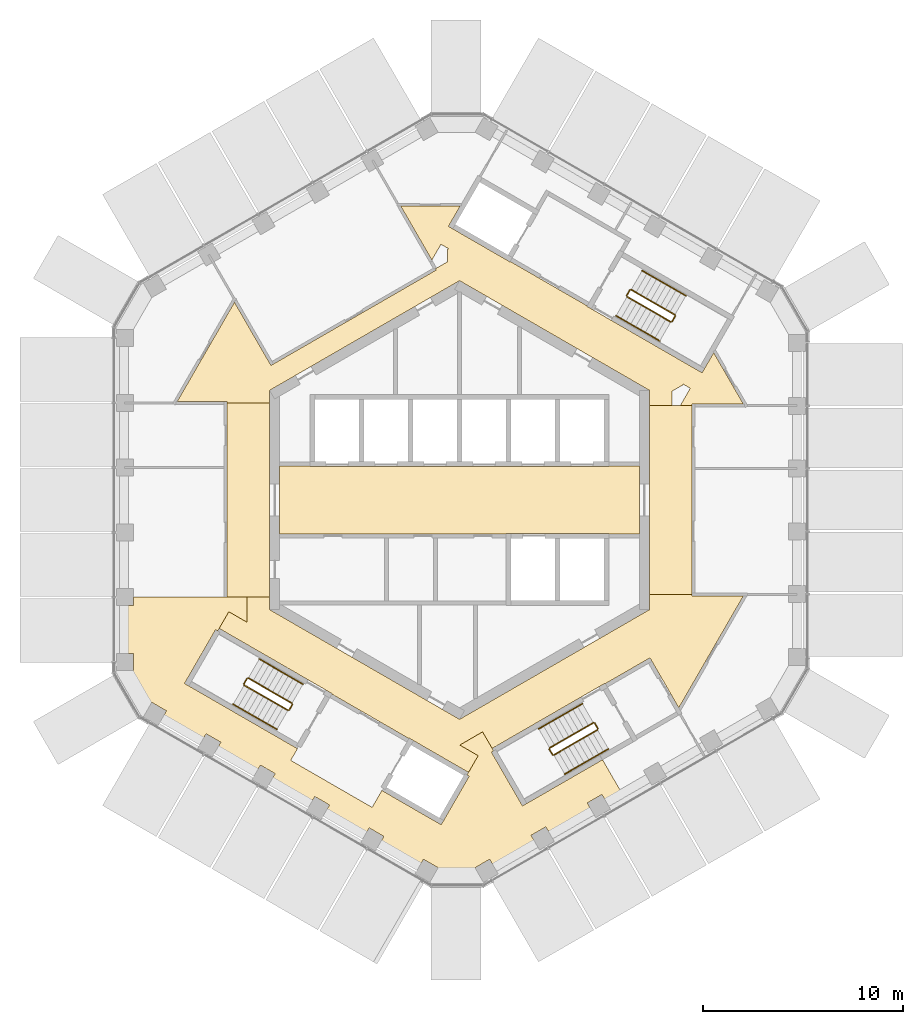
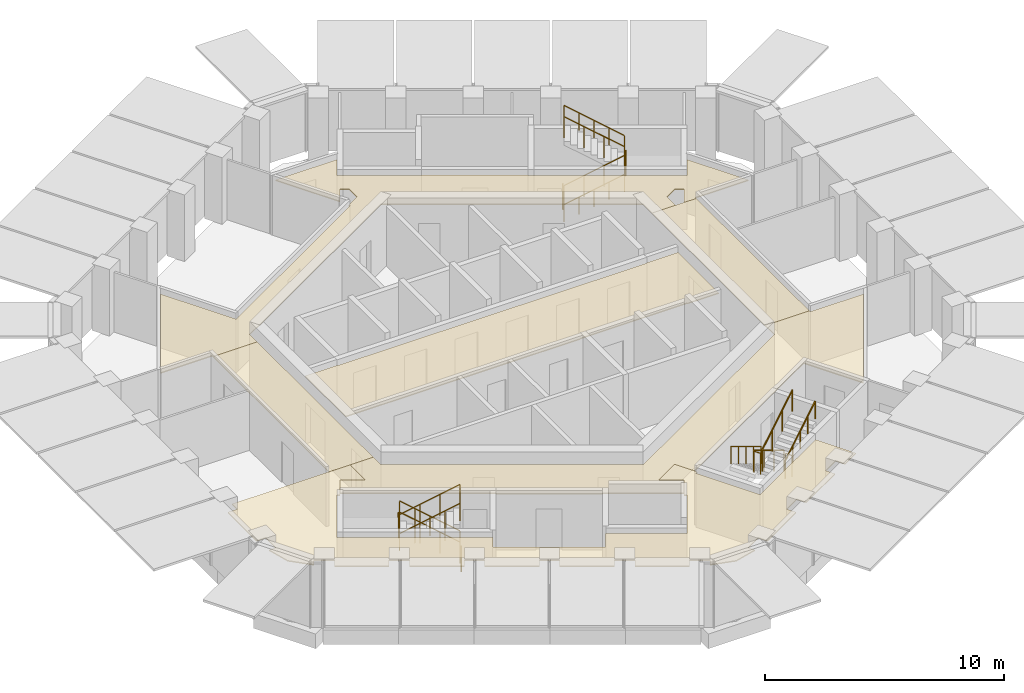
# One storey, part 17 of 17: 24 railings, 6 coverings.
"""IFC4 building model written with IfcOpenShell, lengths in metres."""

from ifc_helpers import new_model, si_unit, direction, frame, origin, origin_2d, place, context, subcontext, project, spatial, polyline, circle, outline, extrude, material, layer, layer_set, type_object, element, save


model = new_model("IFC4")

# Units and contexts
model_context = context("Model", 3, precision=1e-05, world=origin(), true_north=direction((0.0, 1.0)))
body_context = subcontext(model_context, "Body", "Model", "MODEL_VIEW")
ifc_project = project(units=[si_unit("LENGTHUNIT", "METRE"), si_unit("AREAUNIT", "SQUARE_METRE"), si_unit("VOLUMEUNIT", "CUBIC_METRE"), si_unit("PLANEANGLEUNIT", "RADIAN"), si_unit("MASSUNIT", "GRAM", prefix="KILO")], contexts=[model_context])

# Site, building, storey
site_placement = place(None, origin())
site = spatial("IfcSite", under=ifc_project, at=site_placement, CompositionType="ELEMENT")
building_placement = place(site_placement, origin())
building = spatial("IfcBuilding", under=site, at=building_placement, Name="Ayvan Gate Tower", CompositionType="ELEMENT")
storey_placement = place(building_placement, frame((0.0, 0.0, 225.699951171875)))
storey = spatial("IfcBuildingStorey", under=building, at=storey_placement, Name="L60", CompositionType="ELEMENT", Elevation=225.699951171875)

# Coverings
ifc_material_1 = material(Name="Plasterboard suspended ceiling")
ifc_layer = layer(ifc_material_1, 0.050048828125)
ifc_layer_set = layer_set([ifc_layer], Name="Plasterboard suspended ceiling")
covering_type = type_object("IfcCoveringType", Name="CT-SUSP-50", PredefinedType="CEILING", material=ifc_layer_set)
covering_1_placement = place(storey_placement, frame((0.0, 0.0, 2.699951171875)))
element("IfcCovering", 1, at=covering_1_placement, inside=storey, type_object=covering_type, Name="Ceiling Lift Lobby L60", PredefinedType="CEILING", context=body_context, shape_type="SweptSolid", body=[
    extrude(outline(polyline([(7.47509765625, -1.675048828125), (2.324951171875, -1.675048828125), (2.324951171875, -1.699951171875), (-9.0, -1.699951171875), (-9.0, 1.699951171875), (-7.47509765625, 1.699951171875), (-7.47509765625, 1.675048828125), (7.47509765625, 1.675048828125), (7.47509765625, 1.699951171875), (9.0, 1.699951171875), (9.0, -1.699951171875), (7.47509765625, -1.699951171875), (7.47509765625, -1.675048828125)])), origin(), (0.0, 0.0, 1.0), 0.050048828125),
])
covering_2_placement = place(storey_placement, frame((0.0, 0.0, 2.699951171875)))
element("IfcCovering", 2, at=covering_2_placement, inside=storey, type_object=covering_type, Name="Ceiling Gallery L60", PredefinedType="CEILING", context=body_context, shape_type="SweptSolid", body=[
    extrude(outline(polyline([(-4.66748046875, -8.27490234375), (0.0, -10.9697265625), (4.66748046875, -8.27490234375), (8.38720703125, -6.127197265625), (9.5, -5.48486328125), (9.5, -4.728515625), (11.625, -4.728515625), (11.625, -4.803466796875), (14.19189453125, -4.803466796875), (10.965087890625, -10.392333984375), (9.623779296875, -8.069091796875), (9.52392578125, -7.89599609375), (7.2939453125, -9.183349609375), (7.281494140625, -9.16162109375), (1.630615234375, -12.42431640625), (1.153076171875, -11.59716796875), (0.010009765625, -12.257080078125), (0.930419921875, -12.78857421875), (0.447998046875, -13.624267578125), (-2.284423828125, -12.046630859375), (-2.518310546875, -11.91162109375), (-2.53076171875, -11.933349609375), (-6.384521484375, -9.70849609375), (-6.3720703125, -9.686767578125), (-12.02294921875, -6.42431640625), (-11.540283203125, -5.58837890625), (-10.6201171875, -6.119873046875), (-10.6201171875, -4.851806640625), (-9.5, -4.851806640625), (-9.5, -5.48486328125), (-4.66748046875, -8.27490234375)])), origin(), (0.0, 0.0, 1.0), 0.050048828125),
])
covering_3_placement = place(storey_placement, frame((0.0, 0.0, 2.699951171875)))
element("IfcCovering", 3, at=covering_3_placement, inside=storey, type_object=covering_type, Name="Ceiling Gallery L60", PredefinedType="CEILING", context=body_context, shape_type="SweptSolid", body=[
    extrude(outline(polyline([(-9.302490234375, 6.805419921875), (-9.302490234375, 6.805419921875), (-1.177490234375, 11.49658203125), (-1.21484375, 11.5615234375), (-0.60009765625, 11.91650390625), (-0.60009765625, 12.56298828125), (-0.53955078125, 12.56298828125), (-0.930419921875, 12.78857421875), (-1.383544921875, 12.00341796875), (-2.93603515625, 14.6923828125), (0.0244140625, 14.6923828125), (-0.55615234375, 13.686767578125), (-0.339599609375, 13.561767578125), (2.518310546875, 11.91162109375), (2.53076171875, 11.933349609375), (6.384521484375, 9.70849609375), (6.3720703125, 9.686767578125), (6.588623046875, 9.561767578125), (12.131103515625, 6.36181640625), (12.24609375, 6.56103515625), (12.711669921875, 7.367431640625), (14.19189453125, 4.803466796875), (11.625, 4.803466796875), (11.625, 4.728515625), (11.0439453125, 4.728515625), (11.540283203125, 5.58837890625), (11.149658203125, 5.814208984375), (11.1796875, 5.76171875), (10.6201171875, 5.438720703125), (10.6201171875, 4.728515625), (9.5, 4.728515625), (9.5, 5.48486328125), (4.66748046875, 8.27490234375), (0.0, 10.9697265625), (-4.667724609375, 8.27490234375), (-8.844970703125, 5.863037109375), (-9.5, 5.48486328125), (-9.5, 4.851806640625), (-11.625, 4.851806640625), (-11.625, 4.927001953125), (-14.120849609375, 4.927001953125), (-11.256103515625, 9.888916015625), (-9.4326171875, 6.73046875), (-9.302490234375, 6.805419921875)])), origin(), (0.0, 0.0, 1.0), 0.050048828125),
])
covering_4_placement = place(storey_placement, frame((0.0, 0.0, 2.699951171875)))
element("IfcCovering", 4, at=covering_4_placement, inside=storey, type_object=covering_type, Name="Ceiling Lift Lounge Lobby L60", PredefinedType="CEILING", context=body_context, shape_type="SweptSolid", body=[
    extrude(outline(polyline([(11.625, -4.728515625), (9.5, -4.728515625), (9.5, 4.728515625), (11.625, 4.728515625), (11.625, -4.653564453125), (11.625, -4.653564453125), (11.625, -4.728515625)])), origin(), (0.0, 0.0, 1.0), 0.050048828125),
])
covering_5_placement = place(storey_placement, frame((0.0, 0.0, 2.699951171875)))
element("IfcCovering", 5, at=covering_5_placement, inside=storey, type_object=covering_type, Name="Ceiling Lift Lounge Lobby L60", PredefinedType="CEILING", context=body_context, shape_type="SweptSolid", body=[
    extrude(outline(polyline([(-11.625, 4.851806640625), (-9.5, 4.851806640625), (-9.5, -4.851806640625), (-11.625, -4.851806640625), (-11.625, 4.851806640625)])), origin(), (0.0, 0.0, 1.0), 0.050048828125),
])
covering_6_placement = place(storey_placement, frame((0.0, 0.0, 2.699951171875)))
element("IfcCovering", 6, at=covering_6_placement, inside=storey, type_object=covering_type, Name="Ceiling Study Lounge L60", PredefinedType="CEILING", context=body_context, shape_type="SweptSolid", body=[
    extrude(outline(polyline([(-13.53955078125, -9.301513671875), (-8.106201171875, -12.438232421875), (-8.444091796875, -13.023681640625), (-4.3720703125, -15.374755859375), (-3.88427734375, -14.529541015625), (-0.9189453125, -16.24169921875), (-0.803955078125, -16.042236328125), (0.483642578125, -13.812255859375), (0.376220703125, -13.750244140625), (0.38671875, -13.732177734375), (0.931640625, -12.7880859375), (0.011962890625, -12.257080078125), (1.152587890625, -11.5986328125), (1.691650390625, -12.531982421875), (1.7021484375, -12.55029296875), (1.5947265625, -12.6123046875), (3.147216796875, -15.30126953125), (3.346435546875, -15.186279296875), (7.15185546875, -12.9892578125), (8.123779296875, -14.672607421875), (7.348876953125, -15.1201171875), (7.12158203125, -14.726318359375), (6.385498046875, -15.1513671875), (6.61279296875, -15.545166015625), (4.541748046875, -16.74072265625), (4.314453125, -16.346923828125), (3.578125, -16.77197265625), (3.8056640625, -17.165771484375), (1.734619140625, -18.361572265625), (1.507080078125, -17.9677734375), (0.77099609375, -18.392822265625), (0.939208984375, -18.683837890625), (-0.11865234375, -18.96728515625), (-1.22802734375, -18.670166015625), (-1.06787109375, -18.392822265625), (-1.803955078125, -17.9677734375), (-2.016357421875, -18.335693359375), (-3.99853515625, -17.19140625), (-3.785888671875, -16.823486328125), (-4.522216796875, -16.3984375), (-4.734619140625, -16.7666015625), (-6.716552734375, -15.622314453125), (-6.504150390625, -15.254150390625), (-7.240234375, -14.8291015625), (-7.45263671875, -15.197265625), (-9.434814453125, -14.052734375), (-9.222412109375, -13.684814453125), (-9.95849609375, -13.259765625), (-10.1708984375, -13.627685546875), (-12.15283203125, -12.4833984375), (-11.9404296875, -12.115478515625), (-12.676513671875, -11.6904296875), (-12.888916015625, -12.05859375), (-14.87109375, -10.914306640625), (-14.65869140625, -10.546142578125), (-15.394775390625, -10.12109375), (-15.5546875, -10.3984375), (-16.366943359375, -9.58642578125), (-16.650390625, -8.528564453125), (-16.314208984375, -8.528564453125), (-16.314208984375, -7.6787109375), (-16.768798828125, -7.6787109375), (-16.768798828125, -5.287109375), (-16.314208984375, -5.287109375), (-16.314208984375, -4.852783203125), (-10.62109375, -4.852783203125), (-10.62109375, -6.1181640625), (-11.540771484375, -5.587158203125), (-12.09619140625, -6.54931640625), (-12.20361328125, -6.4873046875), (-13.756103515625, -9.17626953125), (-13.53955078125, -9.30126953125), (-13.53955078125, -9.301513671875)])), origin(), (0.0, 0.0, 1.0), 0.050048828125),
])

# Railings
ifc_material_2 = material(Name="Stainless steel balustrade", Category="steel")
railing_type_1 = type_object("IfcRailingType", Name="RL-GUARD-1100", PredefinedType="GUARDRAIL", material=ifc_material_2)
railing_1_placement = place(storey_placement, frame((8.381103515625, 10.16650390625, 0.170166015625)))
element("IfcRailing", 7, at=railing_1_placement, inside=storey, type_object=railing_type_1, Name="L60 STS1 stair guard 1", PredefinedType="GUARDRAIL", context=body_context, shape_type="SweptSolid", body=[
    extrude(circle(Radius=0.02392578125, at=origin_2d()), frame((0.0, 0.0, 1.076171875), z_axis=(0.740292969978, -0.427413806696, 0.51892557891), x_axis=(0.500004791531, 0.866022637375, 0.0)), (0.0, 0.0, 1.0), 2.947998046875),
    extrude(circle(Radius=0.02099609375, at=origin_2d()), origin(), (0.0, 0.0, 1.0), 1.052001953125),
    extrude(circle(Radius=0.02099609375, at=origin_2d()), frame((0.7275390625, -0.419921875, 0.510009765625)), (0.0, 0.0, 1.0), 1.052001953125),
    extrude(circle(Radius=0.02099609375, at=origin_2d()), frame((1.454833984375, -0.840087890625, 1.019775390625)), (0.0, 0.0, 1.0), 1.052001953125),
    extrude(circle(Radius=0.02099609375, at=origin_2d()), frame((2.182373046875, -1.260009765625, 1.52978515625)), (0.0, 0.0, 1.0), 1.052001953125),
])
railing_2_placement = place(storey_placement, frame((10.6318359375, 8.9248046875, 1.699951171875)))
element("IfcRailing", 8, at=railing_2_placement, inside=storey, type_object=railing_type_1, Name="L60 STS1 stair guard 2", PredefinedType="GUARDRAIL", context=body_context, shape_type="SweptSolid", body=[
    extrude(circle(Radius=0.02392578125, at=origin_2d()), frame((0.0, 0.0, 1.076171875), z_axis=(0.499949632511, 0.866054481515, 0.0), x_axis=(-0.866054481515, 0.499949632511, 0.0)), (0.0, 0.0, 1.0), 0.31005859375),
    extrude(circle(Radius=0.02099609375, at=origin_2d()), origin(), (0.0, 0.0, 1.0), 1.052001953125),
    extrude(circle(Radius=0.02099609375, at=origin_2d()), frame((0.155029296875, 0.2685546875, 0.0)), (0.0, 0.0, 1.0), 1.052001953125),
])
railing_3_placement = place(storey_placement, frame((10.7685546875, 9.261474609375, 1.8701171875)))
element("IfcRailing", 9, at=railing_3_placement, inside=storey, type_object=railing_type_1, Name="L60 STS1 stair guard 3", PredefinedType="GUARDRAIL", context=body_context, shape_type="SweptSolid", body=[
    extrude(circle(Radius=0.02392578125, at=origin_2d()), frame((0.0, 0.0, 1.076171875), z_axis=(-0.740261155115, 0.427395438142, 0.518986090067), x_axis=(-0.500004791531, -0.866022637375, 0.0)), (0.0, 0.0, 1.0), 2.947998046875),
    extrude(circle(Radius=0.02099609375, at=origin_2d()), origin(), (0.0, 0.0, 1.0), 1.052001953125),
    extrude(circle(Radius=0.02099609375, at=origin_2d()), frame((-0.7275390625, 0.419921875, 0.510009765625)), (0.0, 0.0, 1.0), 1.052001953125),
    extrude(circle(Radius=0.02099609375, at=origin_2d()), frame((-1.454833984375, 0.840087890625, 1.02001953125)), (0.0, 0.0, 1.0), 1.052001953125),
    extrude(circle(Radius=0.02099609375, at=origin_2d()), frame((-2.182373046875, 1.260009765625, 1.530029296875)), (0.0, 0.0, 1.0), 1.052001953125),
])
railing_4_placement = place(storey_placement, frame((8.36279296875, 10.23486328125, 0.0)))
element("IfcRailing", 10, at=railing_4_placement, inside=storey, type_object=railing_type_1, Name="L60 STS1 stair guard 4", PredefinedType="GUARDRAIL", context=body_context, shape_type="SweptSolid", body=[
    extrude(circle(Radius=0.02392578125, at=origin_2d()), frame((0.0, 0.0, 1.076171875), z_axis=(0.500290723946, 0.86585748916, 0.0), x_axis=(-0.86585748916, 0.500290723946, 0.0)), (0.0, 0.0, 1.0), 0.309814453125),
    extrude(circle(Radius=0.02099609375, at=origin_2d()), origin(), (0.0, 0.0, 1.0), 1.052001953125),
    extrude(circle(Radius=0.02099609375, at=origin_2d()), frame((0.155029296875, 0.268310546875, 0.0)), (0.0, 0.0, 1.0), 1.052001953125),
])
railing_5_placement = place(storey_placement, frame((-8.381103515625, -10.16650390625, 0.170166015625)))
element("IfcRailing", 11, at=railing_5_placement, inside=storey, type_object=railing_type_1, Name="L60 STS2 stair guard 1", PredefinedType="GUARDRAIL", context=body_context, shape_type="SweptSolid", body=[
    extrude(circle(Radius=0.02392578125, at=origin_2d()), frame((0.0, 0.0, 1.076171875), z_axis=(-0.740292969978, 0.427413806696, 0.51892557891), x_axis=(-0.500004791531, -0.866022637375, 0.0)), (0.0, 0.0, 1.0), 2.947998046875),
    extrude(circle(Radius=0.02099609375, at=origin_2d()), origin(), (0.0, 0.0, 1.0), 1.052001953125),
    extrude(circle(Radius=0.02099609375, at=origin_2d()), frame((-0.7275390625, 0.419921875, 0.510009765625)), (0.0, 0.0, 1.0), 1.052001953125),
    extrude(circle(Radius=0.02099609375, at=origin_2d()), frame((-1.454833984375, 0.840087890625, 1.019775390625)), (0.0, 0.0, 1.0), 1.052001953125),
    extrude(circle(Radius=0.02099609375, at=origin_2d()), frame((-2.182373046875, 1.260009765625, 1.52978515625)), (0.0, 0.0, 1.0), 1.052001953125),
])
railing_6_placement = place(storey_placement, frame((-10.6318359375, -8.9248046875, 1.699951171875)))
element("IfcRailing", 12, at=railing_6_placement, inside=storey, type_object=railing_type_1, Name="L60 STS2 stair guard 2", PredefinedType="GUARDRAIL", context=body_context, shape_type="SweptSolid", body=[
    extrude(circle(Radius=0.02392578125, at=origin_2d()), frame((0.0, 0.0, 1.076171875), z_axis=(-0.499949632511, -0.866054481515, 0.0), x_axis=(0.866054481515, -0.499949632511, 0.0)), (0.0, 0.0, 1.0), 0.31005859375),
    extrude(circle(Radius=0.02099609375, at=origin_2d()), origin(), (0.0, 0.0, 1.0), 1.052001953125),
    extrude(circle(Radius=0.02099609375, at=origin_2d()), frame((-0.155029296875, -0.2685546875, 0.0)), (0.0, 0.0, 1.0), 1.052001953125),
])
railing_7_placement = place(storey_placement, frame((-10.7685546875, -9.261474609375, 1.8701171875)))
element("IfcRailing", 13, at=railing_7_placement, inside=storey, type_object=railing_type_1, Name="L60 STS2 stair guard 3", PredefinedType="GUARDRAIL", context=body_context, shape_type="SweptSolid", body=[
    extrude(circle(Radius=0.02392578125, at=origin_2d()), frame((0.0, 0.0, 1.076171875), z_axis=(0.740261155115, -0.427395438142, 0.518986090067), x_axis=(0.500004791531, 0.866022637375, 0.0)), (0.0, 0.0, 1.0), 2.947998046875),
    extrude(circle(Radius=0.02099609375, at=origin_2d()), origin(), (0.0, 0.0, 1.0), 1.052001953125),
    extrude(circle(Radius=0.02099609375, at=origin_2d()), frame((0.7275390625, -0.419921875, 0.510009765625)), (0.0, 0.0, 1.0), 1.052001953125),
    extrude(circle(Radius=0.02099609375, at=origin_2d()), frame((1.454833984375, -0.840087890625, 1.02001953125)), (0.0, 0.0, 1.0), 1.052001953125),
    extrude(circle(Radius=0.02099609375, at=origin_2d()), frame((2.182373046875, -1.260009765625, 1.530029296875)), (0.0, 0.0, 1.0), 1.052001953125),
])
railing_8_placement = place(storey_placement, frame((-8.36279296875, -10.23486328125, 0.0)))
element("IfcRailing", 14, at=railing_8_placement, inside=storey, type_object=railing_type_1, Name="L60 STS2 stair guard 4", PredefinedType="GUARDRAIL", context=body_context, shape_type="SweptSolid", body=[
    extrude(circle(Radius=0.02392578125, at=origin_2d()), frame((0.0, 0.0, 1.076171875), z_axis=(-0.500290723946, -0.86585748916, 0.0), x_axis=(0.86585748916, -0.500290723946, 0.0)), (0.0, 0.0, 1.0), 0.309814453125),
    extrude(circle(Radius=0.02099609375, at=origin_2d()), origin(), (0.0, 0.0, 1.0), 1.052001953125),
    extrude(circle(Radius=0.02099609375, at=origin_2d()), frame((-0.155029296875, -0.268310546875, 0.0)), (0.0, 0.0, 1.0), 1.052001953125),
])
railing_9_placement = place(storey_placement, frame((6.6923828125, -11.1416015625, 0.170166015625)))
element("IfcRailing", 15, at=railing_9_placement, inside=storey, type_object=railing_type_1, Name="L60 STS3 stair guard 1", PredefinedType="GUARDRAIL", context=body_context, shape_type="SweptSolid", body=[
    extrude(circle(Radius=0.02392578125, at=origin_2d()), frame((0.0, 0.0, 1.076171875), z_axis=(-0.740292969978, -0.427413806696, 0.51892557891), x_axis=(0.500004791531, -0.866022637375, 0.0)), (0.0, 0.0, 1.0), 2.947998046875),
    extrude(circle(Radius=0.02099609375, at=origin_2d()), origin(), (0.0, 0.0, 1.0), 1.052001953125),
    extrude(circle(Radius=0.02099609375, at=origin_2d()), frame((-0.7275390625, -0.419921875, 0.510009765625)), (0.0, 0.0, 1.0), 1.052001953125),
    extrude(circle(Radius=0.02099609375, at=origin_2d()), frame((-1.454833984375, -0.840087890625, 1.019775390625)), (0.0, 0.0, 1.0), 1.052001953125),
    extrude(circle(Radius=0.02099609375, at=origin_2d()), frame((-2.182373046875, -1.260009765625, 1.52978515625)), (0.0, 0.0, 1.0), 1.052001953125),
])
railing_10_placement = place(storey_placement, frame((4.49169921875, -12.4697265625, 1.699951171875)))
element("IfcRailing", 16, at=railing_10_placement, inside=storey, type_object=railing_type_1, Name="L60 STS3 stair guard 2", PredefinedType="GUARDRAIL", context=body_context, shape_type="SweptSolid", body=[
    extrude(circle(Radius=0.02392578125, at=origin_2d()), frame((0.0, 0.0, 1.076171875), z_axis=(0.499949632511, -0.866054481515, 0.0), x_axis=(0.866054481515, 0.499949632511, 0.0)), (0.0, 0.0, 1.0), 0.31005859375),
    extrude(circle(Radius=0.02099609375, at=origin_2d()), origin(), (0.0, 0.0, 1.0), 1.052001953125),
    extrude(circle(Radius=0.02099609375, at=origin_2d()), frame((0.155029296875, -0.2685546875, 0.0)), (0.0, 0.0, 1.0), 1.052001953125),
])
railing_11_placement = place(storey_placement, frame((4.715087890625, -12.756591796875, 1.8701171875)))
element("IfcRailing", 17, at=railing_11_placement, inside=storey, type_object=railing_type_1, Name="L60 STS3 stair guard 3", PredefinedType="GUARDRAIL", context=body_context, shape_type="SweptSolid", body=[
    extrude(circle(Radius=0.02392578125, at=origin_2d()), frame((0.0, 0.0, 1.076171875), z_axis=(0.740261155115, 0.427395438142, 0.518986090067), x_axis=(-0.500004791531, 0.866022637375, 0.0)), (0.0, 0.0, 1.0), 2.947998046875),
    extrude(circle(Radius=0.02099609375, at=origin_2d()), origin(), (0.0, 0.0, 1.0), 1.052001953125),
    extrude(circle(Radius=0.02099609375, at=origin_2d()), frame((0.7275390625, 0.419921875, 0.510009765625)), (0.0, 0.0, 1.0), 1.052001953125),
    extrude(circle(Radius=0.02099609375, at=origin_2d()), frame((1.454833984375, 0.840087890625, 1.02001953125)), (0.0, 0.0, 1.0), 1.052001953125),
    extrude(circle(Radius=0.02099609375, at=origin_2d()), frame((2.182373046875, 1.260009765625, 1.530029296875)), (0.0, 0.0, 1.0), 1.052001953125),
])
railing_12_placement = place(storey_placement, frame((6.7607421875, -11.159912109375, 0.0)))
element("IfcRailing", 18, at=railing_12_placement, inside=storey, type_object=railing_type_1, Name="L60 STS3 stair guard 4", PredefinedType="GUARDRAIL", context=body_context, shape_type="SweptSolid", body=[
    extrude(circle(Radius=0.02392578125, at=origin_2d()), frame((0.0, 0.0, 1.076171875), z_axis=(0.500290723946, -0.86585748916, 0.0), x_axis=(0.86585748916, 0.500290723946, 0.0)), (0.0, 0.0, 1.0), 0.309814453125),
    extrude(circle(Radius=0.02099609375, at=origin_2d()), origin(), (0.0, 0.0, 1.0), 1.052001953125),
    extrude(circle(Radius=0.02099609375, at=origin_2d()), frame((0.155029296875, -0.268310546875, 0.0)), (0.0, 0.0, 1.0), 1.052001953125),
])
railing_type_2 = type_object("IfcRailingType", Name="RL-HANDRAIL-900", PredefinedType="HANDRAIL", material=ifc_material_2)
railing_13_placement = place(storey_placement, frame((7.8310546875, 9.2138671875, 0.170166015625)))
element("IfcRailing", 19, at=railing_13_placement, inside=storey, type_object=railing_type_2, Name="L60 STS1 stair handrail 1", PredefinedType="HANDRAIL", context=body_context, shape_type="SweptSolid", body=[
    extrude(circle(Radius=0.02392578125, at=origin_2d()), frame((0.0, 0.0, 0.8759765625), z_axis=(0.740356597536, -0.427319915356, 0.518912129772), x_axis=(0.499890179513, 0.866088799389, 0.0)), (0.0, 0.0, 1.0), 1.47412109375),
    extrude(circle(Radius=0.02099609375, at=origin_2d()), origin(), (0.0, 0.0, 1.0), 0.851806640625),
    extrude(circle(Radius=0.02099609375, at=origin_2d()), frame((0.545654296875, -0.31494140625, 0.38232421875)), (0.0, 0.0, 1.0), 0.851806640625),
    extrude(circle(Radius=0.02099609375, at=origin_2d()), frame((1.09130859375, -0.6298828125, 0.764892578125)), (0.0, 0.0, 1.0), 0.851806640625),
])
railing_14_placement = place(storey_placement, frame((8.92236328125, 8.583984375, 0.93505859375)))
element("IfcRailing", 20, at=railing_14_placement, inside=storey, type_object=railing_type_2, Name="L60 STS1 stair handrail 2", PredefinedType="HANDRAIL", context=body_context, shape_type="SweptSolid", body=[
    extrude(circle(Radius=0.02392578125, at=origin_2d()), frame((0.0, 0.0, 0.8759765625), z_axis=(0.740229329464, -0.427507697325, 0.518939021976), x_axis=(0.50011940292, 0.865956455501, 0.0)), (0.0, 0.0, 1.0), 1.473876953125),
    extrude(circle(Radius=0.02099609375, at=origin_2d()), origin(), (0.0, 0.0, 1.0), 0.851806640625),
    extrude(circle(Radius=0.02099609375, at=origin_2d()), frame((0.54541015625, -0.31494140625, 0.38232421875)), (0.0, 0.0, 1.0), 0.851806640625),
    extrude(circle(Radius=0.02099609375, at=origin_2d()), frame((1.091064453125, -0.630126953125, 0.764892578125)), (0.0, 0.0, 1.0), 0.851806640625),
])
railing_15_placement = place(storey_placement, frame((11.318603515625, 10.214111328125, 1.8701171875)))
element("IfcRailing", 21, at=railing_15_placement, inside=storey, type_object=railing_type_2, Name="L60 STS1 stair handrail 3", PredefinedType="HANDRAIL", context=body_context, shape_type="SweptSolid", body=[
    extrude(circle(Radius=0.02392578125, at=origin_2d()), frame((0.0, 0.0, 0.8759765625), z_axis=(-0.740304193401, 0.427455284825, 0.518875399983), x_axis=(-0.500035496587, -0.86600490885, 0.0)), (0.0, 0.0, 1.0), 1.47412109375),
    extrude(circle(Radius=0.02099609375, at=origin_2d()), origin(), (0.0, 0.0, 1.0), 0.851806640625),
    extrude(circle(Radius=0.02099609375, at=origin_2d()), frame((-0.545654296875, 0.31494140625, 0.38232421875)), (0.0, 0.0, 1.0), 0.851806640625),
    extrude(circle(Radius=0.02099609375, at=origin_2d()), frame((-1.09130859375, 0.630126953125, 0.764892578125)), (0.0, 0.0, 1.0), 0.851806640625),
])
railing_16_placement = place(storey_placement, frame((10.227294921875, 10.84423828125, 2.635009765625)))
element("IfcRailing", 22, at=railing_16_placement, inside=storey, type_object=railing_type_2, Name="L60 STS1 stair handrail 4", PredefinedType="HANDRAIL", context=body_context, shape_type="SweptSolid", body=[
    extrude(circle(Radius=0.02392578125, at=origin_2d()), frame((0.0, 0.0, 0.8759765625), z_axis=(-0.740292964666, 0.42728318766, 0.519033143459), x_axis=(-0.499890179513, -0.866088799389, 0.0)), (0.0, 0.0, 1.0), 1.47412109375),
    extrude(circle(Radius=0.02099609375, at=origin_2d()), origin(), (0.0, 0.0, 1.0), 0.851806640625),
    extrude(circle(Radius=0.02099609375, at=origin_2d()), frame((-0.545654296875, 0.31494140625, 0.382568359375)), (0.0, 0.0, 1.0), 0.851806640625),
    extrude(circle(Radius=0.02099609375, at=origin_2d()), frame((-1.09130859375, 0.6298828125, 0.76513671875)), (0.0, 0.0, 1.0), 0.851806640625),
])
railing_17_placement = place(storey_placement, frame((-7.8310546875, -9.2138671875, 0.170166015625)))
element("IfcRailing", 23, at=railing_17_placement, inside=storey, type_object=railing_type_2, Name="L60 STS2 stair handrail 1", PredefinedType="HANDRAIL", context=body_context, shape_type="SweptSolid", body=[
    extrude(circle(Radius=0.02392578125, at=origin_2d()), frame((0.0, 0.0, 0.8759765625), z_axis=(-0.740356597536, 0.427319915356, 0.518912129772), x_axis=(-0.499890179513, -0.866088799389, 0.0)), (0.0, 0.0, 1.0), 1.47412109375),
    extrude(circle(Radius=0.02099609375, at=origin_2d()), origin(), (0.0, 0.0, 1.0), 0.851806640625),
    extrude(circle(Radius=0.02099609375, at=origin_2d()), frame((-0.545654296875, 0.31494140625, 0.38232421875)), (0.0, 0.0, 1.0), 0.851806640625),
    extrude(circle(Radius=0.02099609375, at=origin_2d()), frame((-1.09130859375, 0.6298828125, 0.764892578125)), (0.0, 0.0, 1.0), 0.851806640625),
])
railing_18_placement = place(storey_placement, frame((-8.92236328125, -8.583984375, 0.93505859375)))
element("IfcRailing", 24, at=railing_18_placement, inside=storey, type_object=railing_type_2, Name="L60 STS2 stair handrail 2", PredefinedType="HANDRAIL", context=body_context, shape_type="SweptSolid", body=[
    extrude(circle(Radius=0.02392578125, at=origin_2d()), frame((0.0, 0.0, 0.8759765625), z_axis=(-0.740229329464, 0.427507697325, 0.518939021976), x_axis=(-0.50011940292, -0.865956455501, 0.0)), (0.0, 0.0, 1.0), 1.473876953125),
    extrude(circle(Radius=0.02099609375, at=origin_2d()), origin(), (0.0, 0.0, 1.0), 0.851806640625),
    extrude(circle(Radius=0.02099609375, at=origin_2d()), frame((-0.54541015625, 0.31494140625, 0.38232421875)), (0.0, 0.0, 1.0), 0.851806640625),
    extrude(circle(Radius=0.02099609375, at=origin_2d()), frame((-1.091064453125, 0.630126953125, 0.764892578125)), (0.0, 0.0, 1.0), 0.851806640625),
])
railing_19_placement = place(storey_placement, frame((-11.318603515625, -10.214111328125, 1.8701171875)))
element("IfcRailing", 25, at=railing_19_placement, inside=storey, type_object=railing_type_2, Name="L60 STS2 stair handrail 3", PredefinedType="HANDRAIL", context=body_context, shape_type="SweptSolid", body=[
    extrude(circle(Radius=0.02392578125, at=origin_2d()), frame((0.0, 0.0, 0.8759765625), z_axis=(0.740304193401, -0.427455284825, 0.518875399983), x_axis=(0.500035496587, 0.86600490885, 0.0)), (0.0, 0.0, 1.0), 1.47412109375),
    extrude(circle(Radius=0.02099609375, at=origin_2d()), origin(), (0.0, 0.0, 1.0), 0.851806640625),
    extrude(circle(Radius=0.02099609375, at=origin_2d()), frame((0.545654296875, -0.31494140625, 0.38232421875)), (0.0, 0.0, 1.0), 0.851806640625),
    extrude(circle(Radius=0.02099609375, at=origin_2d()), frame((1.09130859375, -0.630126953125, 0.764892578125)), (0.0, 0.0, 1.0), 0.851806640625),
])
railing_20_placement = place(storey_placement, frame((-10.227294921875, -10.84423828125, 2.635009765625)))
element("IfcRailing", 26, at=railing_20_placement, inside=storey, type_object=railing_type_2, Name="L60 STS2 stair handrail 4", PredefinedType="HANDRAIL", context=body_context, shape_type="SweptSolid", body=[
    extrude(circle(Radius=0.02392578125, at=origin_2d()), frame((0.0, 0.0, 0.8759765625), z_axis=(0.740292964666, -0.42728318766, 0.519033143459), x_axis=(0.499890179513, 0.866088799389, 0.0)), (0.0, 0.0, 1.0), 1.47412109375),
    extrude(circle(Radius=0.02099609375, at=origin_2d()), origin(), (0.0, 0.0, 1.0), 0.851806640625),
    extrude(circle(Radius=0.02099609375, at=origin_2d()), frame((0.545654296875, -0.31494140625, 0.382568359375)), (0.0, 0.0, 1.0), 0.851806640625),
    extrude(circle(Radius=0.02099609375, at=origin_2d()), frame((1.09130859375, -0.6298828125, 0.76513671875)), (0.0, 0.0, 1.0), 0.851806640625),
])
railing_21_placement = place(storey_placement, frame((6.142333984375, -10.18896484375, 0.170166015625)))
element("IfcRailing", 27, at=railing_21_placement, inside=storey, type_object=railing_type_2, Name="L60 STS3 stair handrail 1", PredefinedType="HANDRAIL", context=body_context, shape_type="SweptSolid", body=[
    extrude(circle(Radius=0.02392578125, at=origin_2d()), frame((0.0, 0.0, 0.8759765625), z_axis=(-0.740281741151, -0.427372318678, 0.518975765278), x_axis=(0.499974077718, -0.866040369504, 0.0)), (0.0, 0.0, 1.0), 1.473876953125),
    extrude(circle(Radius=0.02099609375, at=origin_2d()), origin(), (0.0, 0.0, 1.0), 0.851806640625),
    extrude(circle(Radius=0.02099609375, at=origin_2d()), frame((-0.54541015625, -0.31494140625, 0.38232421875)), (0.0, 0.0, 1.0), 0.851806640625),
    extrude(circle(Radius=0.02099609375, at=origin_2d()), frame((-1.091064453125, -0.6298828125, 0.764892578125)), (0.0, 0.0, 1.0), 0.851806640625),
])
railing_22_placement = place(storey_placement, frame((5.05126953125, -10.81884765625, 0.93505859375)))
element("IfcRailing", 28, at=railing_22_placement, inside=storey, type_object=railing_type_2, Name="L60 STS3 stair handrail 2", PredefinedType="HANDRAIL", context=body_context, shape_type="SweptSolid", body=[
    extrude(circle(Radius=0.02392578125, at=origin_2d()), frame((0.0, 0.0, 0.8759765625), z_axis=(-0.740304193401, -0.427455284825, 0.518875399983), x_axis=(0.500035496587, -0.86600490885, 0.0)), (0.0, 0.0, 1.0), 1.47412109375),
    extrude(circle(Radius=0.02099609375, at=origin_2d()), origin(), (0.0, 0.0, 1.0), 0.851806640625),
    extrude(circle(Radius=0.02099609375, at=origin_2d()), frame((-0.545654296875, -0.31494140625, 0.38232421875)), (0.0, 0.0, 1.0), 0.851806640625),
    extrude(circle(Radius=0.02099609375, at=origin_2d()), frame((-1.09130859375, -0.630126953125, 0.764892578125)), (0.0, 0.0, 1.0), 0.851806640625),
])
railing_23_placement = place(storey_placement, frame((5.264892578125, -13.709228515625, 1.8701171875)))
element("IfcRailing", 29, at=railing_23_placement, inside=storey, type_object=railing_type_2, Name="L60 STS3 stair handrail 3", PredefinedType="HANDRAIL", context=body_context, shape_type="SweptSolid", body=[
    extrude(circle(Radius=0.02392578125, at=origin_2d()), frame((0.0, 0.0, 0.8759765625), z_axis=(0.740304193401, 0.427455284825, 0.518875399983), x_axis=(-0.500035496587, 0.86600490885, 0.0)), (0.0, 0.0, 1.0), 1.47412109375),
    extrude(circle(Radius=0.02099609375, at=origin_2d()), origin(), (0.0, 0.0, 1.0), 0.851806640625),
    extrude(circle(Radius=0.02099609375, at=origin_2d()), frame((0.545654296875, 0.31494140625, 0.38232421875)), (0.0, 0.0, 1.0), 0.851806640625),
    extrude(circle(Radius=0.02099609375, at=origin_2d()), frame((1.09130859375, 0.630126953125, 0.764892578125)), (0.0, 0.0, 1.0), 0.851806640625),
])
railing_24_placement = place(storey_placement, frame((6.356201171875, -13.0791015625, 2.635009765625)))
element("IfcRailing", 30, at=railing_24_placement, inside=storey, type_object=railing_type_2, Name="L60 STS3 stair handrail 4", PredefinedType="HANDRAIL", context=body_context, shape_type="SweptSolid", body=[
    extrude(circle(Radius=0.02392578125, at=origin_2d()), frame((0.0, 0.0, 0.8759765625), z_axis=(0.740218099111, 0.427335577468, 0.519096782863), x_axis=(-0.499974077718, 0.866040369504, 0.0)), (0.0, 0.0, 1.0), 1.473876953125),
    extrude(circle(Radius=0.02099609375, at=origin_2d()), origin(), (0.0, 0.0, 1.0), 0.851806640625),
    extrude(circle(Radius=0.02099609375, at=origin_2d()), frame((0.54541015625, 0.31494140625, 0.382568359375)), (0.0, 0.0, 1.0), 0.851806640625),
    extrude(circle(Radius=0.02099609375, at=origin_2d()), frame((1.091064453125, 0.6298828125, 0.76513671875)), (0.0, 0.0, 1.0), 0.851806640625),
])

save(model, "model.ifc")
